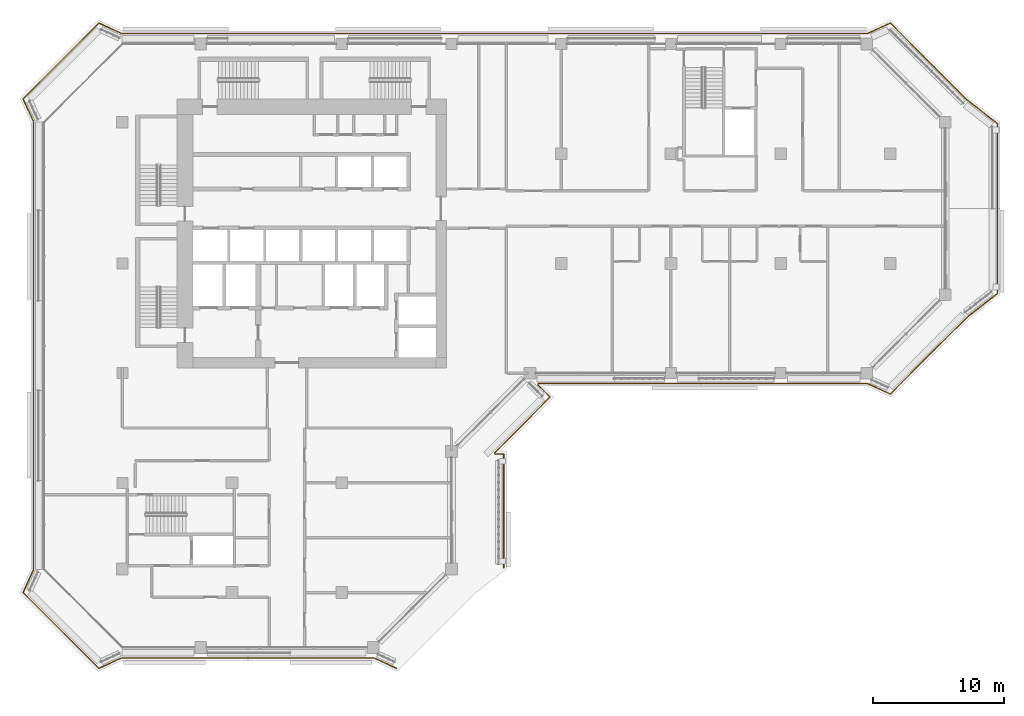
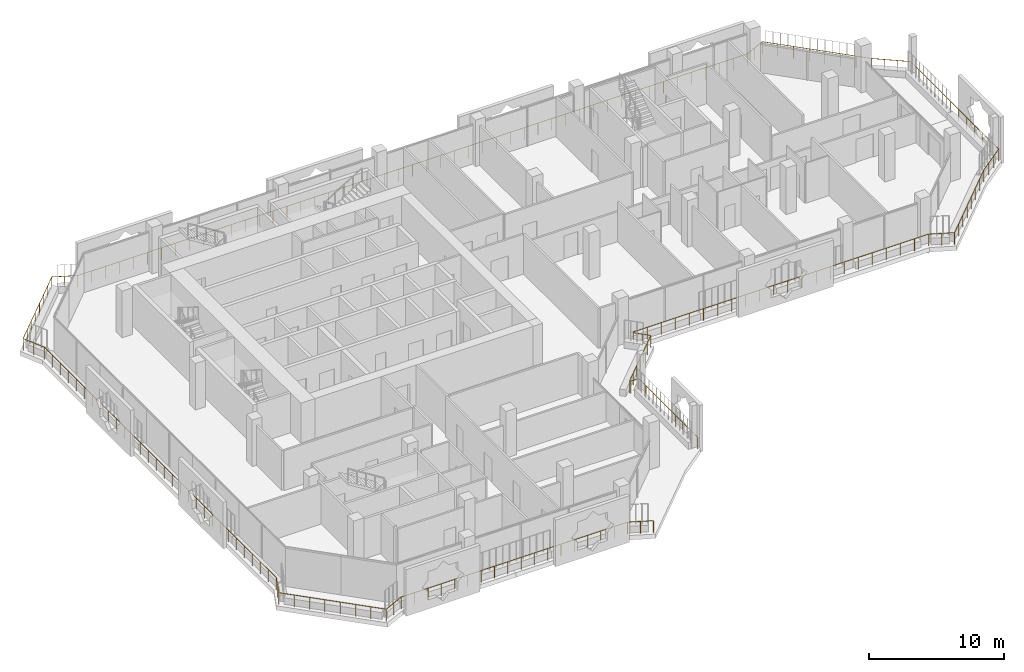
# One storey, part 18 of 22: 1 railing.
"""IFC4 building model written with IfcOpenShell, lengths in metres."""

from ifc_helpers import new_model, si_unit, direction, frame, origin, origin_2d, place, context, subcontext, project, spatial, circle, extrude, material, type_object, element, save


model = new_model("IFC4")

# Units and contexts
model_context = context("Model", 3, precision=1e-05, world=origin(), true_north=direction((0.0, 1.0)))
body_context = subcontext(model_context, "Body", "Model", "MODEL_VIEW")
ifc_project = project(units=[si_unit("LENGTHUNIT", "METRE"), si_unit("AREAUNIT", "SQUARE_METRE"), si_unit("VOLUMEUNIT", "CUBIC_METRE"), si_unit("PLANEANGLEUNIT", "RADIAN"), si_unit("MASSUNIT", "GRAM", prefix="KILO")], contexts=[model_context])

# Site, building, storey
site_placement = place(None, origin())
site = spatial("IfcSite", under=ifc_project, at=site_placement, CompositionType="ELEMENT")
building_placement = place(site_placement, origin())
building = spatial("IfcBuilding", under=site, at=building_placement, Name="Kawkab Arch Medical Tower", CompositionType="ELEMENT")
storey_placement = place(building_placement, frame((0.0, 0.0, 255.800048828125)))
storey = spatial("IfcBuildingStorey", under=building, at=storey_placement, Name="L59", CompositionType="ELEMENT", Elevation=255.800048828125)

# Railing
ifc_material = material(Name="Bronze anodised aluminium guard", Category="aluminium")
railing_type = type_object("IfcRailingType", Name="Loggia and terrace guard 1100", PredefinedType="GUARDRAIL", material=ifc_material)
railing_placement = place(storey_placement, frame((20.9951171875, -47.798095703125, 0.0)))
element("IfcRailing", 1, at=railing_placement, inside=storey, type_object=railing_type, Name="Guard L59.LOG-01.1.1", PredefinedType="GUARDRAIL", context=body_context, shape_type="SweptSolid", body=[
    extrude(circle(Radius=0.02392578125, at=origin_2d()), frame((0.0, 0.0, 1.076171875), z_axis=(-0.910044860056, 0.414509773934, 0.0), x_axis=(-0.414509773934, -0.910044860056, 0.0)), (0.0, 0.0, 1.0), 1.92529296875),
    extrude(circle(Radius=0.02392578125, at=origin_2d()), frame((-1.752197265625, 0.798095703125, 1.076171875), z_axis=(-1.0, 0.0, 0.0), x_axis=(0.0, -1.0, 0.0)), (0.0, 0.0, 1.0), 19.285888671875),
    extrude(circle(Radius=0.02392578125, at=origin_2d()), frame((-21.0380859375, 0.798095703125, 1.076171875), z_axis=(-0.910023069687, -0.414557610759, 0.0), x_axis=(0.414557610759, -0.910023069687, 0.0)), (0.0, 0.0, 1.0), 1.92529296875),
    extrude(circle(Radius=0.02392578125, at=origin_2d()), frame((-22.7900390625, 0.0, 1.076171875), z_axis=(-0.707106781187, 0.707106781187, 0.0), x_axis=(-0.707106781187, -0.707106781187, 0.0)), (0.0, 0.0, 1.0), 8.20654296875),
    extrude(circle(Radius=0.02392578125, at=origin_2d()), frame((-28.593017578125, 5.802978515625, 1.076171875), z_axis=(0.414404752076, 0.910092688388, 0.0), x_axis=(-0.910092688388, 0.414404752076, 0.0)), (0.0, 0.0, 1.0), 1.92529296875),
    extrude(circle(Radius=0.02392578125, at=origin_2d()), frame((-27.795166015625, 7.55517578125, 1.076171875), z_axis=(0.0, 1.0, 0.0), x_axis=(-1.0, 0.0, 0.0)), (0.0, 0.0, 1.0), 34.285888671875),
    extrude(circle(Radius=0.02392578125, at=origin_2d()), frame((-27.795166015625, 41.841064453125, 1.076171875), z_axis=(-0.414452581809, 0.910070907914, 0.0), x_axis=(-0.910070907914, -0.414452581809, 0.0)), (0.0, 0.0, 1.0), 1.925048828125),
    extrude(circle(Radius=0.02392578125, at=origin_2d()), frame((-28.593017578125, 43.593017578125, 1.076171875), z_axis=(0.707106781187, 0.707106781187, 0.0), x_axis=(-0.707106781187, 0.707106781187, 0.0)), (0.0, 0.0, 1.0), 8.20654296875),
    extrude(circle(Radius=0.02392578125, at=origin_2d()), frame((-22.7900390625, 49.39599609375, 1.076171875), z_axis=(0.910070907914, -0.414452581809, 0.0), x_axis=(0.414452581809, 0.910070907914, 0.0)), (0.0, 0.0, 1.0), 1.925048828125),
    extrude(circle(Radius=0.02392578125, at=origin_2d()), frame((-21.0380859375, 48.59814453125, 1.076171875), z_axis=(1.0, 0.0, 0.0), x_axis=(0.0, 1.0, 0.0)), (0.0, 0.0, 1.0), 57.0859375),
    extrude(circle(Radius=0.02392578125, at=origin_2d()), frame((36.0478515625, 48.59814453125, 1.076171875), z_axis=(0.910070907914, 0.414452581809, 0.0), x_axis=(-0.414452581809, 0.910070907914, 0.0)), (0.0, 0.0, 1.0), 1.925048828125),
    extrude(circle(Radius=0.02392578125, at=origin_2d()), frame((37.7998046875, 49.39599609375, 1.076171875), z_axis=(0.707121386154, -0.707092175918, 0.0), x_axis=(0.707092175918, 0.707121386154, 0.0)), (0.0, 0.0, 1.0), 8.358154296875),
    extrude(circle(Radius=0.02392578125, at=origin_2d()), frame((43.7099609375, 43.486083984375, 1.076171875), z_axis=(0.789193964876, -0.614144026922, 0.0), x_axis=(0.614144026922, 0.789193964876, 0.0)), (0.0, 0.0, 1.0), 2.907958984375),
    extrude(circle(Radius=0.02392578125, at=origin_2d()), frame((46.0048828125, 41.7001953125, 1.076171875), z_axis=(0.0, -1.0, 0.0), x_axis=(1.0, 0.0, 0.0)), (0.0, 0.0, 1.0), 13.004150390625),
    extrude(circle(Radius=0.02392578125, at=origin_2d()), frame((46.0048828125, 28.696044921875, 1.076171875), z_axis=(-0.789193964876, -0.614144026922, 0.0), x_axis=(0.614144026922, -0.789193964876, 0.0)), (0.0, 0.0, 1.0), 2.907958984375),
    extrude(circle(Radius=0.02392578125, at=origin_2d()), frame((43.7099609375, 26.91015625, 1.076171875), z_axis=(-0.707106781187, -0.707106781187, 0.0), x_axis=(0.707106781187, -0.707106781187, 0.0)), (0.0, 0.0, 1.0), 8.358154296875),
    extrude(circle(Radius=0.02392578125, at=origin_2d()), frame((37.7998046875, 21.0, 1.076171875), z_axis=(-0.910023069687, 0.414557610759, 0.0), x_axis=(-0.414557610759, -0.910023069687, 0.0)), (0.0, 0.0, 1.0), 1.92529296875),
    extrude(circle(Radius=0.02392578125, at=origin_2d()), frame((36.0478515625, 21.798095703125, 1.076171875), z_axis=(-1.0, 0.0, 0.0), x_axis=(0.0, -1.0, 0.0)), (0.0, 0.0, 1.0), 25.19287109375),
    extrude(circle(Radius=0.02392578125, at=origin_2d()), frame((10.85498046875, 21.798095703125, 1.076171875), z_axis=(-0.383763674343, -0.923431341387, 0.0), x_axis=(0.923431341387, -0.383763674343, 0.0)), (0.0, 0.0, 1.0), 0.101806640625),
    extrude(circle(Radius=0.02392578125, at=origin_2d()), frame((10.81591796875, 21.7041015625, 1.076171875), z_axis=(0.707015335112, -0.707198215437, 0.0), x_axis=(0.707198215437, 0.707015335112, 0.0)), (0.0, 0.0, 1.0), 1.3349609375),
    extrude(circle(Radius=0.02392578125, at=origin_2d()), frame((11.759765625, 20.760009765625, 1.076171875), z_axis=(-0.707025867263, -0.707187685852, 0.0), x_axis=(0.707187685852, -0.707025867263, 0.0)), (0.0, 0.0, 1.0), 6.034912109375),
    extrude(circle(Radius=0.02392578125, at=origin_2d()), frame((7.492919921875, 16.4921875, 1.076171875), z_axis=(0.383763674343, -0.923431341387, 0.0), x_axis=(0.923431341387, 0.383763674343, 0.0)), (0.0, 0.0, 1.0), 0.101806640625),
    extrude(circle(Radius=0.02392578125, at=origin_2d()), frame((7.531982421875, 16.398193359375, 1.076171875), z_axis=(1.0, 0.0, 0.0), x_axis=(0.0, 1.0, 0.0)), (0.0, 0.0, 1.0), 0.6728515625),
    extrude(circle(Radius=0.02392578125, at=origin_2d()), frame((8.204833984375, 16.398193359375, 1.076171875), z_axis=(0.0, -1.0, 0.0), x_axis=(1.0, 0.0, 0.0)), (0.0, 0.0, 1.0), 8.7021484375),
    extrude(circle(Radius=0.02099609375, at=origin_2d()), origin(), (0.0, 0.0, 1.0), 1.052001953125),
    extrude(circle(Radius=0.02099609375, at=origin_2d()), frame((-0.8759765625, 0.39892578125, 0.0)), (0.0, 0.0, 1.0), 1.052001953125),
    extrude(circle(Radius=0.02099609375, at=origin_2d()), frame((-1.752197265625, 0.798095703125, 0.0)), (0.0, 0.0, 1.0), 1.052001953125),
    extrude(circle(Radius=0.02099609375, at=origin_2d()), frame((-2.88671875, 0.798095703125, 0.0)), (0.0, 0.0, 1.0), 1.052001953125),
    extrude(circle(Radius=0.02099609375, at=origin_2d()), frame((-4.021240234375, 0.798095703125, 0.0)), (0.0, 0.0, 1.0), 1.052001953125),
    extrude(circle(Radius=0.02099609375, at=origin_2d()), frame((-5.155517578125, 0.798095703125, 0.0)), (0.0, 0.0, 1.0), 1.052001953125),
    extrude(circle(Radius=0.02099609375, at=origin_2d()), frame((-6.2900390625, 0.798095703125, 0.0)), (0.0, 0.0, 1.0), 1.052001953125),
    extrude(circle(Radius=0.02099609375, at=origin_2d()), frame((-7.424560546875, 0.798095703125, 0.0)), (0.0, 0.0, 1.0), 1.052001953125),
    extrude(circle(Radius=0.02099609375, at=origin_2d()), frame((-8.55908203125, 0.798095703125, 0.0)), (0.0, 0.0, 1.0), 1.052001953125),
    extrude(circle(Radius=0.02099609375, at=origin_2d()), frame((-9.693359375, 0.798095703125, 0.0)), (0.0, 0.0, 1.0), 1.052001953125),
    extrude(circle(Radius=0.02099609375, at=origin_2d()), frame((-10.827880859375, 0.798095703125, 0.0)), (0.0, 0.0, 1.0), 1.052001953125),
    extrude(circle(Radius=0.02099609375, at=origin_2d()), frame((-11.96240234375, 0.798095703125, 0.0)), (0.0, 0.0, 1.0), 1.052001953125),
    extrude(circle(Radius=0.02099609375, at=origin_2d()), frame((-13.096923828125, 0.798095703125, 0.0)), (0.0, 0.0, 1.0), 1.052001953125),
    extrude(circle(Radius=0.02099609375, at=origin_2d()), frame((-14.231201171875, 0.798095703125, 0.0)), (0.0, 0.0, 1.0), 1.052001953125),
    extrude(circle(Radius=0.02099609375, at=origin_2d()), frame((-15.36572265625, 0.798095703125, 0.0)), (0.0, 0.0, 1.0), 1.052001953125),
    extrude(circle(Radius=0.02099609375, at=origin_2d()), frame((-16.500244140625, 0.798095703125, 0.0)), (0.0, 0.0, 1.0), 1.052001953125),
    extrude(circle(Radius=0.02099609375, at=origin_2d()), frame((-17.634765625, 0.798095703125, 0.0)), (0.0, 0.0, 1.0), 1.052001953125),
    extrude(circle(Radius=0.02099609375, at=origin_2d()), frame((-18.76904296875, 0.798095703125, 0.0)), (0.0, 0.0, 1.0), 1.052001953125),
    extrude(circle(Radius=0.02099609375, at=origin_2d()), frame((-19.903564453125, 0.798095703125, 0.0)), (0.0, 0.0, 1.0), 1.052001953125),
    extrude(circle(Radius=0.02099609375, at=origin_2d()), frame((-21.0380859375, 0.798095703125, 0.0)), (0.0, 0.0, 1.0), 1.052001953125),
    extrude(circle(Radius=0.02099609375, at=origin_2d()), frame((-21.9140625, 0.39892578125, 0.0)), (0.0, 0.0, 1.0), 1.052001953125),
    extrude(circle(Radius=0.02099609375, at=origin_2d()), frame((-22.7900390625, 0.0, 0.0)), (0.0, 0.0, 1.0), 1.052001953125),
    extrude(circle(Radius=0.02099609375, at=origin_2d()), frame((-23.619140625, 0.8291015625, 0.0)), (0.0, 0.0, 1.0), 1.052001953125),
    extrude(circle(Radius=0.02099609375, at=origin_2d()), frame((-24.447998046875, 1.657958984375, 0.0)), (0.0, 0.0, 1.0), 1.052001953125),
    extrude(circle(Radius=0.02099609375, at=origin_2d()), frame((-25.277099609375, 2.487060546875, 0.0)), (0.0, 0.0, 1.0), 1.052001953125),
    extrude(circle(Radius=0.02099609375, at=origin_2d()), frame((-26.10595703125, 3.31591796875, 0.0)), (0.0, 0.0, 1.0), 1.052001953125),
    extrude(circle(Radius=0.02099609375, at=origin_2d()), frame((-26.93505859375, 4.14501953125, 0.0)), (0.0, 0.0, 1.0), 1.052001953125),
    extrude(circle(Radius=0.02099609375, at=origin_2d()), frame((-27.763916015625, 4.973876953125, 0.0)), (0.0, 0.0, 1.0), 1.052001953125),
    extrude(circle(Radius=0.02099609375, at=origin_2d()), frame((-28.593017578125, 5.802978515625, 0.0)), (0.0, 0.0, 1.0), 1.052001953125),
    extrude(circle(Radius=0.02099609375, at=origin_2d()), frame((-28.194091796875, 6.67919921875, 0.0)), (0.0, 0.0, 1.0), 1.052001953125),
    extrude(circle(Radius=0.02099609375, at=origin_2d()), frame((-27.795166015625, 7.55517578125, 0.0)), (0.0, 0.0, 1.0), 1.052001953125),
    extrude(circle(Radius=0.02099609375, at=origin_2d()), frame((-27.795166015625, 8.737548828125, 0.0)), (0.0, 0.0, 1.0), 1.052001953125),
    extrude(circle(Radius=0.02099609375, at=origin_2d()), frame((-27.795166015625, 9.919677734375, 0.0)), (0.0, 0.0, 1.0), 1.052001953125),
    extrude(circle(Radius=0.02099609375, at=origin_2d()), frame((-27.795166015625, 11.10205078125, 0.0)), (0.0, 0.0, 1.0), 1.052001953125),
    extrude(circle(Radius=0.02099609375, at=origin_2d()), frame((-27.795166015625, 12.2841796875, 0.0)), (0.0, 0.0, 1.0), 1.052001953125),
    extrude(circle(Radius=0.02099609375, at=origin_2d()), frame((-27.795166015625, 13.466552734375, 0.0)), (0.0, 0.0, 1.0), 1.052001953125),
    extrude(circle(Radius=0.02099609375, at=origin_2d()), frame((-27.795166015625, 14.64892578125, 0.0)), (0.0, 0.0, 1.0), 1.052001953125),
    extrude(circle(Radius=0.02099609375, at=origin_2d()), frame((-27.795166015625, 15.8310546875, 0.0)), (0.0, 0.0, 1.0), 1.052001953125),
    extrude(circle(Radius=0.02099609375, at=origin_2d()), frame((-27.795166015625, 17.013427734375, 0.0)), (0.0, 0.0, 1.0), 1.052001953125),
    extrude(circle(Radius=0.02099609375, at=origin_2d()), frame((-27.795166015625, 18.195556640625, 0.0)), (0.0, 0.0, 1.0), 1.052001953125),
    extrude(circle(Radius=0.02099609375, at=origin_2d()), frame((-27.795166015625, 19.3779296875, 0.0)), (0.0, 0.0, 1.0), 1.052001953125),
    extrude(circle(Radius=0.02099609375, at=origin_2d()), frame((-27.795166015625, 20.56005859375, 0.0)), (0.0, 0.0, 1.0), 1.052001953125),
    extrude(circle(Radius=0.02099609375, at=origin_2d()), frame((-27.795166015625, 21.742431640625, 0.0)), (0.0, 0.0, 1.0), 1.052001953125),
    extrude(circle(Radius=0.02099609375, at=origin_2d()), frame((-27.795166015625, 22.9248046875, 0.0)), (0.0, 0.0, 1.0), 1.052001953125),
    extrude(circle(Radius=0.02099609375, at=origin_2d()), frame((-27.795166015625, 24.10693359375, 0.0)), (0.0, 0.0, 1.0), 1.052001953125),
    extrude(circle(Radius=0.02099609375, at=origin_2d()), frame((-27.795166015625, 25.289306640625, 0.0)), (0.0, 0.0, 1.0), 1.052001953125),
    extrude(circle(Radius=0.02099609375, at=origin_2d()), frame((-27.795166015625, 26.471435546875, 0.0)), (0.0, 0.0, 1.0), 1.052001953125),
    extrude(circle(Radius=0.02099609375, at=origin_2d()), frame((-27.795166015625, 27.65380859375, 0.0)), (0.0, 0.0, 1.0), 1.052001953125),
    extrude(circle(Radius=0.02099609375, at=origin_2d()), frame((-27.795166015625, 28.836181640625, 0.0)), (0.0, 0.0, 1.0), 1.052001953125),
    extrude(circle(Radius=0.02099609375, at=origin_2d()), frame((-27.795166015625, 30.018310546875, 0.0)), (0.0, 0.0, 1.0), 1.052001953125),
    extrude(circle(Radius=0.02099609375, at=origin_2d()), frame((-27.795166015625, 31.20068359375, 0.0)), (0.0, 0.0, 1.0), 1.052001953125),
    extrude(circle(Radius=0.02099609375, at=origin_2d()), frame((-27.795166015625, 32.3828125, 0.0)), (0.0, 0.0, 1.0), 1.052001953125),
    extrude(circle(Radius=0.02099609375, at=origin_2d()), frame((-27.795166015625, 33.565185546875, 0.0)), (0.0, 0.0, 1.0), 1.052001953125),
    extrude(circle(Radius=0.02099609375, at=origin_2d()), frame((-27.795166015625, 34.747314453125, 0.0)), (0.0, 0.0, 1.0), 1.052001953125),
    extrude(circle(Radius=0.02099609375, at=origin_2d()), frame((-27.795166015625, 35.9296875, 0.0)), (0.0, 0.0, 1.0), 1.052001953125),
    extrude(circle(Radius=0.02099609375, at=origin_2d()), frame((-27.795166015625, 37.112060546875, 0.0)), (0.0, 0.0, 1.0), 1.052001953125),
    extrude(circle(Radius=0.02099609375, at=origin_2d()), frame((-27.795166015625, 38.294189453125, 0.0)), (0.0, 0.0, 1.0), 1.052001953125),
    extrude(circle(Radius=0.02099609375, at=origin_2d()), frame((-27.795166015625, 39.4765625, 0.0)), (0.0, 0.0, 1.0), 1.052001953125),
    extrude(circle(Radius=0.02099609375, at=origin_2d()), frame((-27.795166015625, 40.65869140625, 0.0)), (0.0, 0.0, 1.0), 1.052001953125),
    extrude(circle(Radius=0.02099609375, at=origin_2d()), frame((-27.795166015625, 41.841064453125, 0.0)), (0.0, 0.0, 1.0), 1.052001953125),
    extrude(circle(Radius=0.02099609375, at=origin_2d()), frame((-28.194091796875, 42.717041015625, 0.0)), (0.0, 0.0, 1.0), 1.052001953125),
    extrude(circle(Radius=0.02099609375, at=origin_2d()), frame((-28.593017578125, 43.593017578125, 0.0)), (0.0, 0.0, 1.0), 1.052001953125),
    extrude(circle(Radius=0.02099609375, at=origin_2d()), frame((-27.763916015625, 44.422119140625, 0.0)), (0.0, 0.0, 1.0), 1.052001953125),
    extrude(circle(Radius=0.02099609375, at=origin_2d()), frame((-26.93505859375, 45.2509765625, 0.0)), (0.0, 0.0, 1.0), 1.052001953125),
    extrude(circle(Radius=0.02099609375, at=origin_2d()), frame((-26.10595703125, 46.080078125, 0.0)), (0.0, 0.0, 1.0), 1.052001953125),
    extrude(circle(Radius=0.02099609375, at=origin_2d()), frame((-25.277099609375, 46.908935546875, 0.0)), (0.0, 0.0, 1.0), 1.052001953125),
    extrude(circle(Radius=0.02099609375, at=origin_2d()), frame((-24.447998046875, 47.738037109375, 0.0)), (0.0, 0.0, 1.0), 1.052001953125),
    extrude(circle(Radius=0.02099609375, at=origin_2d()), frame((-23.619140625, 48.56689453125, 0.0)), (0.0, 0.0, 1.0), 1.052001953125),
    extrude(circle(Radius=0.02099609375, at=origin_2d()), frame((-22.7900390625, 49.39599609375, 0.0)), (0.0, 0.0, 1.0), 1.052001953125),
    extrude(circle(Radius=0.02099609375, at=origin_2d()), frame((-21.9140625, 48.9970703125, 0.0)), (0.0, 0.0, 1.0), 1.052001953125),
    extrude(circle(Radius=0.02099609375, at=origin_2d()), frame((-21.0380859375, 48.59814453125, 0.0)), (0.0, 0.0, 1.0), 1.052001953125),
    extrude(circle(Radius=0.02099609375, at=origin_2d()), frame((-19.848876953125, 48.59814453125, 0.0)), (0.0, 0.0, 1.0), 1.052001953125),
    extrude(circle(Radius=0.02099609375, at=origin_2d()), frame((-18.659423828125, 48.59814453125, 0.0)), (0.0, 0.0, 1.0), 1.052001953125),
    extrude(circle(Radius=0.02099609375, at=origin_2d()), frame((-17.47021484375, 48.59814453125, 0.0)), (0.0, 0.0, 1.0), 1.052001953125),
    extrude(circle(Radius=0.02099609375, at=origin_2d()), frame((-16.281005859375, 48.59814453125, 0.0)), (0.0, 0.0, 1.0), 1.052001953125),
    extrude(circle(Radius=0.02099609375, at=origin_2d()), frame((-15.091552734375, 48.59814453125, 0.0)), (0.0, 0.0, 1.0), 1.052001953125),
    extrude(circle(Radius=0.02099609375, at=origin_2d()), frame((-13.90234375, 48.59814453125, 0.0)), (0.0, 0.0, 1.0), 1.052001953125),
    extrude(circle(Radius=0.02099609375, at=origin_2d()), frame((-12.713134765625, 48.59814453125, 0.0)), (0.0, 0.0, 1.0), 1.052001953125),
    extrude(circle(Radius=0.02099609375, at=origin_2d()), frame((-11.523681640625, 48.59814453125, 0.0)), (0.0, 0.0, 1.0), 1.052001953125),
    extrude(circle(Radius=0.02099609375, at=origin_2d()), frame((-10.33447265625, 48.59814453125, 0.0)), (0.0, 0.0, 1.0), 1.052001953125),
    extrude(circle(Radius=0.02099609375, at=origin_2d()), frame((-9.145263671875, 48.59814453125, 0.0)), (0.0, 0.0, 1.0), 1.052001953125),
    extrude(circle(Radius=0.02099609375, at=origin_2d()), frame((-7.955810546875, 48.59814453125, 0.0)), (0.0, 0.0, 1.0), 1.052001953125),
    extrude(circle(Radius=0.02099609375, at=origin_2d()), frame((-6.7666015625, 48.59814453125, 0.0)), (0.0, 0.0, 1.0), 1.052001953125),
    extrude(circle(Radius=0.02099609375, at=origin_2d()), frame((-5.577392578125, 48.59814453125, 0.0)), (0.0, 0.0, 1.0), 1.052001953125),
    extrude(circle(Radius=0.02099609375, at=origin_2d()), frame((-4.387939453125, 48.59814453125, 0.0)), (0.0, 0.0, 1.0), 1.052001953125),
    extrude(circle(Radius=0.02099609375, at=origin_2d()), frame((-3.19873046875, 48.59814453125, 0.0)), (0.0, 0.0, 1.0), 1.052001953125),
    extrude(circle(Radius=0.02099609375, at=origin_2d()), frame((-2.009521484375, 48.59814453125, 0.0)), (0.0, 0.0, 1.0), 1.052001953125),
    extrude(circle(Radius=0.02099609375, at=origin_2d()), frame((-0.820068359375, 48.59814453125, 0.0)), (0.0, 0.0, 1.0), 1.052001953125),
    extrude(circle(Radius=0.02099609375, at=origin_2d()), frame((0.369140625, 48.59814453125, 0.0)), (0.0, 0.0, 1.0), 1.052001953125),
    extrude(circle(Radius=0.02099609375, at=origin_2d()), frame((1.558349609375, 48.59814453125, 0.0)), (0.0, 0.0, 1.0), 1.052001953125),
    extrude(circle(Radius=0.02099609375, at=origin_2d()), frame((2.747802734375, 48.59814453125, 0.0)), (0.0, 0.0, 1.0), 1.052001953125),
    extrude(circle(Radius=0.02099609375, at=origin_2d()), frame((3.93701171875, 48.59814453125, 0.0)), (0.0, 0.0, 1.0), 1.052001953125),
    extrude(circle(Radius=0.02099609375, at=origin_2d()), frame((5.126220703125, 48.59814453125, 0.0)), (0.0, 0.0, 1.0), 1.052001953125),
    extrude(circle(Radius=0.02099609375, at=origin_2d()), frame((6.315673828125, 48.59814453125, 0.0)), (0.0, 0.0, 1.0), 1.052001953125),
    extrude(circle(Radius=0.02099609375, at=origin_2d()), frame((7.5048828125, 48.59814453125, 0.0)), (0.0, 0.0, 1.0), 1.052001953125),
    extrude(circle(Radius=0.02099609375, at=origin_2d()), frame((8.694091796875, 48.59814453125, 0.0)), (0.0, 0.0, 1.0), 1.052001953125),
    extrude(circle(Radius=0.02099609375, at=origin_2d()), frame((9.883544921875, 48.59814453125, 0.0)), (0.0, 0.0, 1.0), 1.052001953125),
    extrude(circle(Radius=0.02099609375, at=origin_2d()), frame((11.07275390625, 48.59814453125, 0.0)), (0.0, 0.0, 1.0), 1.052001953125),
    extrude(circle(Radius=0.02099609375, at=origin_2d()), frame((12.261962890625, 48.59814453125, 0.0)), (0.0, 0.0, 1.0), 1.052001953125),
    extrude(circle(Radius=0.02099609375, at=origin_2d()), frame((13.451416015625, 48.59814453125, 0.0)), (0.0, 0.0, 1.0), 1.052001953125),
    extrude(circle(Radius=0.02099609375, at=origin_2d()), frame((14.640625, 48.59814453125, 0.0)), (0.0, 0.0, 1.0), 1.052001953125),
    extrude(circle(Radius=0.02099609375, at=origin_2d()), frame((15.829833984375, 48.59814453125, 0.0)), (0.0, 0.0, 1.0), 1.052001953125),
    extrude(circle(Radius=0.02099609375, at=origin_2d()), frame((17.019287109375, 48.59814453125, 0.0)), (0.0, 0.0, 1.0), 1.052001953125),
    extrude(circle(Radius=0.02099609375, at=origin_2d()), frame((18.20849609375, 48.59814453125, 0.0)), (0.0, 0.0, 1.0), 1.052001953125),
    extrude(circle(Radius=0.02099609375, at=origin_2d()), frame((19.397705078125, 48.59814453125, 0.0)), (0.0, 0.0, 1.0), 1.052001953125),
    extrude(circle(Radius=0.02099609375, at=origin_2d()), frame((20.587158203125, 48.59814453125, 0.0)), (0.0, 0.0, 1.0), 1.052001953125),
    extrude(circle(Radius=0.02099609375, at=origin_2d()), frame((21.7763671875, 48.59814453125, 0.0)), (0.0, 0.0, 1.0), 1.052001953125),
    extrude(circle(Radius=0.02099609375, at=origin_2d()), frame((22.965576171875, 48.59814453125, 0.0)), (0.0, 0.0, 1.0), 1.052001953125),
    extrude(circle(Radius=0.02099609375, at=origin_2d()), frame((24.155029296875, 48.59814453125, 0.0)), (0.0, 0.0, 1.0), 1.052001953125),
    extrude(circle(Radius=0.02099609375, at=origin_2d()), frame((25.34423828125, 48.59814453125, 0.0)), (0.0, 0.0, 1.0), 1.052001953125),
    extrude(circle(Radius=0.02099609375, at=origin_2d()), frame((26.533447265625, 48.59814453125, 0.0)), (0.0, 0.0, 1.0), 1.052001953125),
    extrude(circle(Radius=0.02099609375, at=origin_2d()), frame((27.722900390625, 48.59814453125, 0.0)), (0.0, 0.0, 1.0), 1.052001953125),
    extrude(circle(Radius=0.02099609375, at=origin_2d()), frame((28.912109375, 48.59814453125, 0.0)), (0.0, 0.0, 1.0), 1.052001953125),
    extrude(circle(Radius=0.02099609375, at=origin_2d()), frame((30.101318359375, 48.59814453125, 0.0)), (0.0, 0.0, 1.0), 1.052001953125),
    extrude(circle(Radius=0.02099609375, at=origin_2d()), frame((31.290771484375, 48.59814453125, 0.0)), (0.0, 0.0, 1.0), 1.052001953125),
    extrude(circle(Radius=0.02099609375, at=origin_2d()), frame((32.47998046875, 48.59814453125, 0.0)), (0.0, 0.0, 1.0), 1.052001953125),
    extrude(circle(Radius=0.02099609375, at=origin_2d()), frame((33.669189453125, 48.59814453125, 0.0)), (0.0, 0.0, 1.0), 1.052001953125),
    extrude(circle(Radius=0.02099609375, at=origin_2d()), frame((34.858642578125, 48.59814453125, 0.0)), (0.0, 0.0, 1.0), 1.052001953125),
    extrude(circle(Radius=0.02099609375, at=origin_2d()), frame((36.0478515625, 48.59814453125, 0.0)), (0.0, 0.0, 1.0), 1.052001953125),
    extrude(circle(Radius=0.02099609375, at=origin_2d()), frame((36.923828125, 48.9970703125, 0.0)), (0.0, 0.0, 1.0), 1.052001953125),
    extrude(circle(Radius=0.02099609375, at=origin_2d()), frame((37.7998046875, 49.39599609375, 0.0)), (0.0, 0.0, 1.0), 1.052001953125),
    extrude(circle(Radius=0.02099609375, at=origin_2d()), frame((38.64404296875, 48.5517578125, 0.0)), (0.0, 0.0, 1.0), 1.052001953125),
    extrude(circle(Radius=0.02099609375, at=origin_2d()), frame((39.488525390625, 47.70751953125, 0.0)), (0.0, 0.0, 1.0), 1.052001953125),
    extrude(circle(Radius=0.02099609375, at=origin_2d()), frame((40.332763671875, 46.86328125, 0.0)), (0.0, 0.0, 1.0), 1.052001953125),
    extrude(circle(Radius=0.02099609375, at=origin_2d()), frame((41.177001953125, 46.018798828125, 0.0)), (0.0, 0.0, 1.0), 1.052001953125),
    extrude(circle(Radius=0.02099609375, at=origin_2d()), frame((42.021240234375, 45.174560546875, 0.0)), (0.0, 0.0, 1.0), 1.052001953125),
    extrude(circle(Radius=0.02099609375, at=origin_2d()), frame((42.86572265625, 44.330322265625, 0.0)), (0.0, 0.0, 1.0), 1.052001953125),
    extrude(circle(Radius=0.02099609375, at=origin_2d()), frame((43.7099609375, 43.486083984375, 0.0)), (0.0, 0.0, 1.0), 1.052001953125),
    extrude(circle(Radius=0.02099609375, at=origin_2d()), frame((44.474853515625, 42.890869140625, 0.0)), (0.0, 0.0, 1.0), 1.052001953125),
    extrude(circle(Radius=0.02099609375, at=origin_2d()), frame((45.239990234375, 42.29541015625, 0.0)), (0.0, 0.0, 1.0), 1.052001953125),
    extrude(circle(Radius=0.02099609375, at=origin_2d()), frame((46.0048828125, 41.7001953125, 0.0)), (0.0, 0.0, 1.0), 1.052001953125),
    extrude(circle(Radius=0.02099609375, at=origin_2d()), frame((46.0048828125, 40.51806640625, 0.0)), (0.0, 0.0, 1.0), 1.052001953125),
    extrude(circle(Radius=0.02099609375, at=origin_2d()), frame((46.0048828125, 39.335693359375, 0.0)), (0.0, 0.0, 1.0), 1.052001953125),
    extrude(circle(Radius=0.02099609375, at=origin_2d()), frame((46.0048828125, 38.153564453125, 0.0)), (0.0, 0.0, 1.0), 1.052001953125),
    extrude(circle(Radius=0.02099609375, at=origin_2d()), frame((46.0048828125, 36.971435546875, 0.0)), (0.0, 0.0, 1.0), 1.052001953125),
    extrude(circle(Radius=0.02099609375, at=origin_2d()), frame((46.0048828125, 35.789306640625, 0.0)), (0.0, 0.0, 1.0), 1.052001953125),
    extrude(circle(Radius=0.02099609375, at=origin_2d()), frame((46.0048828125, 34.60693359375, 0.0)), (0.0, 0.0, 1.0), 1.052001953125),
    extrude(circle(Radius=0.02099609375, at=origin_2d()), frame((46.0048828125, 33.4248046875, 0.0)), (0.0, 0.0, 1.0), 1.052001953125),
    extrude(circle(Radius=0.02099609375, at=origin_2d()), frame((46.0048828125, 32.24267578125, 0.0)), (0.0, 0.0, 1.0), 1.052001953125),
    extrude(circle(Radius=0.02099609375, at=origin_2d()), frame((46.0048828125, 31.060546875, 0.0)), (0.0, 0.0, 1.0), 1.052001953125),
    extrude(circle(Radius=0.02099609375, at=origin_2d()), frame((46.0048828125, 29.878173828125, 0.0)), (0.0, 0.0, 1.0), 1.052001953125),
    extrude(circle(Radius=0.02099609375, at=origin_2d()), frame((46.0048828125, 28.696044921875, 0.0)), (0.0, 0.0, 1.0), 1.052001953125),
    extrude(circle(Radius=0.02099609375, at=origin_2d()), frame((45.239990234375, 28.100830078125, 0.0)), (0.0, 0.0, 1.0), 1.052001953125),
    extrude(circle(Radius=0.02099609375, at=origin_2d()), frame((44.474853515625, 27.50537109375, 0.0)), (0.0, 0.0, 1.0), 1.052001953125),
    extrude(circle(Radius=0.02099609375, at=origin_2d()), frame((43.7099609375, 26.91015625, 0.0)), (0.0, 0.0, 1.0), 1.052001953125),
    extrude(circle(Radius=0.02099609375, at=origin_2d()), frame((42.86572265625, 26.06591796875, 0.0)), (0.0, 0.0, 1.0), 1.052001953125),
    extrude(circle(Radius=0.02099609375, at=origin_2d()), frame((42.021240234375, 25.221435546875, 0.0)), (0.0, 0.0, 1.0), 1.052001953125),
    extrude(circle(Radius=0.02099609375, at=origin_2d()), frame((41.177001953125, 24.377197265625, 0.0)), (0.0, 0.0, 1.0), 1.052001953125),
    extrude(circle(Radius=0.02099609375, at=origin_2d()), frame((40.332763671875, 23.532958984375, 0.0)), (0.0, 0.0, 1.0), 1.052001953125),
    extrude(circle(Radius=0.02099609375, at=origin_2d()), frame((39.488525390625, 22.688720703125, 0.0)), (0.0, 0.0, 1.0), 1.052001953125),
    extrude(circle(Radius=0.02099609375, at=origin_2d()), frame((38.64404296875, 21.84423828125, 0.0)), (0.0, 0.0, 1.0), 1.052001953125),
    extrude(circle(Radius=0.02099609375, at=origin_2d()), frame((37.7998046875, 21.0, 0.0)), (0.0, 0.0, 1.0), 1.052001953125),
    extrude(circle(Radius=0.02099609375, at=origin_2d()), frame((36.923828125, 21.39892578125, 0.0)), (0.0, 0.0, 1.0), 1.052001953125),
    extrude(circle(Radius=0.02099609375, at=origin_2d()), frame((36.0478515625, 21.798095703125, 0.0)), (0.0, 0.0, 1.0), 1.052001953125),
    extrude(circle(Radius=0.02099609375, at=origin_2d()), frame((34.84814453125, 21.798095703125, 0.0)), (0.0, 0.0, 1.0), 1.052001953125),
    extrude(circle(Radius=0.02099609375, at=origin_2d()), frame((33.6484375, 21.798095703125, 0.0)), (0.0, 0.0, 1.0), 1.052001953125),
    extrude(circle(Radius=0.02099609375, at=origin_2d()), frame((32.448974609375, 21.798095703125, 0.0)), (0.0, 0.0, 1.0), 1.052001953125),
    extrude(circle(Radius=0.02099609375, at=origin_2d()), frame((31.249267578125, 21.798095703125, 0.0)), (0.0, 0.0, 1.0), 1.052001953125),
    extrude(circle(Radius=0.02099609375, at=origin_2d()), frame((30.049560546875, 21.798095703125, 0.0)), (0.0, 0.0, 1.0), 1.052001953125),
    extrude(circle(Radius=0.02099609375, at=origin_2d()), frame((28.849853515625, 21.798095703125, 0.0)), (0.0, 0.0, 1.0), 1.052001953125),
    extrude(circle(Radius=0.02099609375, at=origin_2d()), frame((27.650146484375, 21.798095703125, 0.0)), (0.0, 0.0, 1.0), 1.052001953125),
    extrude(circle(Radius=0.02099609375, at=origin_2d()), frame((26.45068359375, 21.798095703125, 0.0)), (0.0, 0.0, 1.0), 1.052001953125),
    extrude(circle(Radius=0.02099609375, at=origin_2d()), frame((25.2509765625, 21.798095703125, 0.0)), (0.0, 0.0, 1.0), 1.052001953125),
    extrude(circle(Radius=0.02099609375, at=origin_2d()), frame((24.05126953125, 21.798095703125, 0.0)), (0.0, 0.0, 1.0), 1.052001953125),
    extrude(circle(Radius=0.02099609375, at=origin_2d()), frame((22.8515625, 21.798095703125, 0.0)), (0.0, 0.0, 1.0), 1.052001953125),
    extrude(circle(Radius=0.02099609375, at=origin_2d()), frame((21.65185546875, 21.798095703125, 0.0)), (0.0, 0.0, 1.0), 1.052001953125),
    extrude(circle(Radius=0.02099609375, at=origin_2d()), frame((20.4521484375, 21.798095703125, 0.0)), (0.0, 0.0, 1.0), 1.052001953125),
    extrude(circle(Radius=0.02099609375, at=origin_2d()), frame((19.252685546875, 21.798095703125, 0.0)), (0.0, 0.0, 1.0), 1.052001953125),
    extrude(circle(Radius=0.02099609375, at=origin_2d()), frame((18.052978515625, 21.798095703125, 0.0)), (0.0, 0.0, 1.0), 1.052001953125),
    extrude(circle(Radius=0.02099609375, at=origin_2d()), frame((16.853271484375, 21.798095703125, 0.0)), (0.0, 0.0, 1.0), 1.052001953125),
    extrude(circle(Radius=0.02099609375, at=origin_2d()), frame((15.653564453125, 21.798095703125, 0.0)), (0.0, 0.0, 1.0), 1.052001953125),
    extrude(circle(Radius=0.02099609375, at=origin_2d()), frame((14.453857421875, 21.798095703125, 0.0)), (0.0, 0.0, 1.0), 1.052001953125),
    extrude(circle(Radius=0.02099609375, at=origin_2d()), frame((13.25439453125, 21.798095703125, 0.0)), (0.0, 0.0, 1.0), 1.052001953125),
    extrude(circle(Radius=0.02099609375, at=origin_2d()), frame((12.0546875, 21.798095703125, 0.0)), (0.0, 0.0, 1.0), 1.052001953125),
    extrude(circle(Radius=0.02099609375, at=origin_2d()), frame((10.85498046875, 21.798095703125, 0.0)), (0.0, 0.0, 1.0), 1.052001953125),
    extrude(circle(Radius=0.02099609375, at=origin_2d()), frame((10.81591796875, 21.7041015625, 0.0)), (0.0, 0.0, 1.0), 1.052001953125),
    extrude(circle(Radius=0.02099609375, at=origin_2d()), frame((11.287841796875, 21.23193359375, 0.0)), (0.0, 0.0, 1.0), 1.052001953125),
    extrude(circle(Radius=0.02099609375, at=origin_2d()), frame((11.759765625, 20.760009765625, 0.0)), (0.0, 0.0, 1.0), 1.052001953125),
    extrude(circle(Radius=0.02099609375, at=origin_2d()), frame((11.048583984375, 20.048828125, 0.0)), (0.0, 0.0, 1.0), 1.052001953125),
    extrude(circle(Radius=0.02099609375, at=origin_2d()), frame((10.33740234375, 19.33740234375, 0.0)), (0.0, 0.0, 1.0), 1.052001953125),
    extrude(circle(Radius=0.02099609375, at=origin_2d()), frame((9.62646484375, 18.6259765625, 0.0)), (0.0, 0.0, 1.0), 1.052001953125),
    extrude(circle(Radius=0.02099609375, at=origin_2d()), frame((8.915283203125, 17.914794921875, 0.0)), (0.0, 0.0, 1.0), 1.052001953125),
    extrude(circle(Radius=0.02099609375, at=origin_2d()), frame((8.2041015625, 17.20361328125, 0.0)), (0.0, 0.0, 1.0), 1.052001953125),
    extrude(circle(Radius=0.02099609375, at=origin_2d()), frame((7.492919921875, 16.4921875, 0.0)), (0.0, 0.0, 1.0), 1.052001953125),
    extrude(circle(Radius=0.02099609375, at=origin_2d()), frame((7.531982421875, 16.398193359375, 0.0)), (0.0, 0.0, 1.0), 1.052001953125),
    extrude(circle(Radius=0.02099609375, at=origin_2d()), frame((8.204833984375, 16.398193359375, 0.0)), (0.0, 0.0, 1.0), 1.052001953125),
    extrude(circle(Radius=0.02099609375, at=origin_2d()), frame((8.204833984375, 15.310546875, 0.0)), (0.0, 0.0, 1.0), 1.052001953125),
    extrude(circle(Radius=0.02099609375, at=origin_2d()), frame((8.204833984375, 14.22265625, 0.0)), (0.0, 0.0, 1.0), 1.052001953125),
    extrude(circle(Radius=0.02099609375, at=origin_2d()), frame((8.204833984375, 13.134765625, 0.0)), (0.0, 0.0, 1.0), 1.052001953125),
    extrude(circle(Radius=0.02099609375, at=origin_2d()), frame((8.204833984375, 12.047119140625, 0.0)), (0.0, 0.0, 1.0), 1.052001953125),
    extrude(circle(Radius=0.02099609375, at=origin_2d()), frame((8.204833984375, 10.95947265625, 0.0)), (0.0, 0.0, 1.0), 1.052001953125),
    extrude(circle(Radius=0.02099609375, at=origin_2d()), frame((8.204833984375, 9.87158203125, 0.0)), (0.0, 0.0, 1.0), 1.052001953125),
    extrude(circle(Radius=0.02099609375, at=origin_2d()), frame((8.204833984375, 8.78369140625, 0.0)), (0.0, 0.0, 1.0), 1.052001953125),
    extrude(circle(Radius=0.02099609375, at=origin_2d()), frame((8.204833984375, 7.696044921875, 0.0)), (0.0, 0.0, 1.0), 1.052001953125),
])

save(model, "model.ifc")
